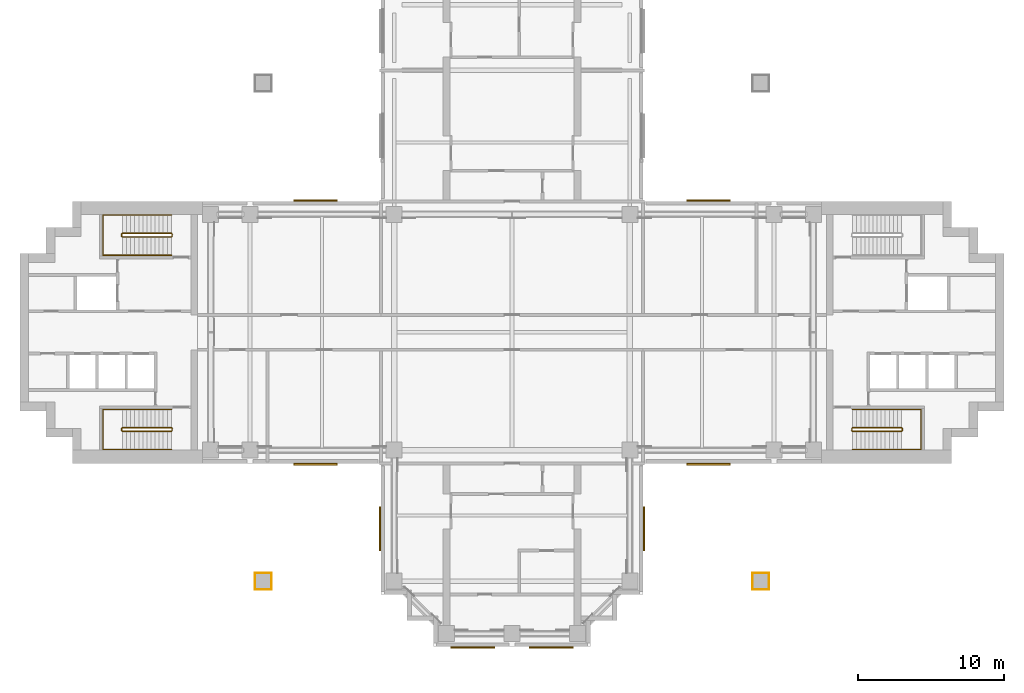
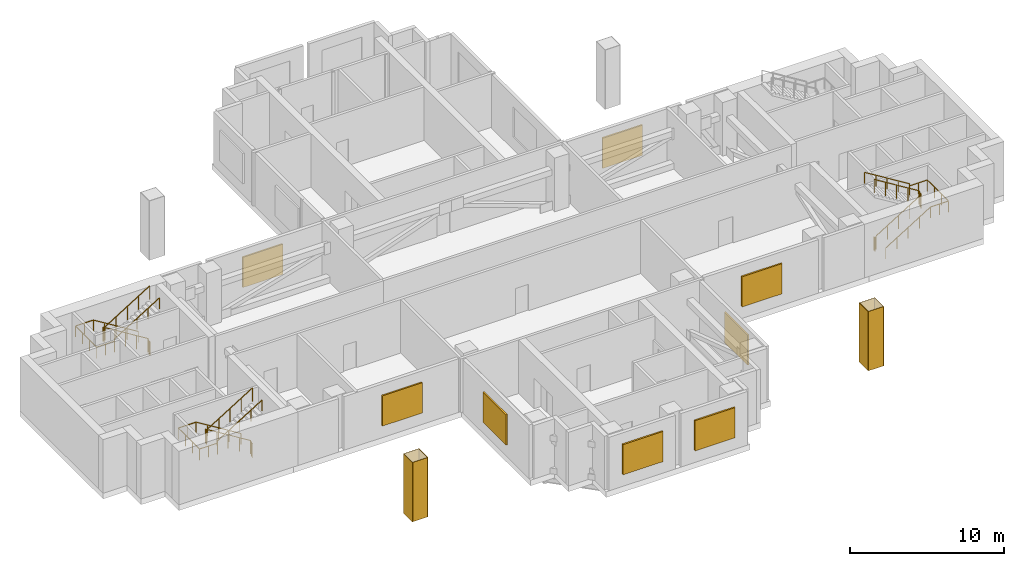
# One storey, part 10 of 11: 8 coverings, 8 shading devices, 6 railings.
"""IFC4 building model written with IfcOpenShell, lengths in metres."""

from ifc_helpers import new_model, si_unit, direction, frame, origin, origin_2d, place, context, subcontext, project, spatial, rectangle, extrude, material, layer, layer_set, type_object, element, save


model = new_model("IFC4")

# Units and contexts
model_context = context("Model", 3, precision=1e-05, world=origin(), true_north=direction((0.0, 1.0)))
body_context = subcontext(model_context, "Body", "Model", "MODEL_VIEW")
ifc_project = project(units=[si_unit("LENGTHUNIT", "METRE"), si_unit("AREAUNIT", "SQUARE_METRE"), si_unit("VOLUMEUNIT", "CUBIC_METRE"), si_unit("PLANEANGLEUNIT", "RADIAN"), si_unit("MASSUNIT", "GRAM", prefix="KILO")], contexts=[model_context])

# Site, building, storey
site_placement = place(None, origin())
site = spatial("IfcSite", under=ifc_project, at=site_placement, CompositionType="ELEMENT")
building_placement = place(site_placement, origin())
building = spatial("IfcBuilding", under=site, at=building_placement, Name="Perihelion Cross Residences", CompositionType="ELEMENT")
storey_placement = place(building_placement, frame((0.0, 0.0, 162.10009765625)))
storey = spatial("IfcBuildingStorey", under=building, at=storey_placement, Name="L39", CompositionType="ELEMENT", Elevation=162.10009765625)

# Coverings
ifc_material_1 = material(Name="Bronze anodised aluminium", Category="aluminium")
ifc_layer_1 = layer(ifc_material_1, 0.0400390625)
ifc_layer_set_1 = layer_set([ifc_layer_1], Name="Bronze column casing 40")
covering_type = type_object("IfcCoveringType", Name="Bronze column casing 40", PredefinedType="CLADDING", material=ifc_layer_set_1)
covering_1_placement = place(storey_placement, frame((-17.669921875, -17.10009765625, -0.4501953125), z_axis=(0.0, 0.0, 1.0), x_axis=(1.0, 0.0, 0.0)))
element("IfcCovering", 1, at=covering_1_placement, inside=storey, type_object=covering_type, Name="Cladding CC1 L39 casing east-west no. 1", PredefinedType="CLADDING", context=body_context, shape_type="SweptSolid", body=[
    extrude(rectangle(XDim=0.0400390625, YDim=1.179931640625, at=origin_2d()), origin(), (0.0, 0.0, 1.0), 4.699951171875),
])
covering_2_placement = place(storey_placement, frame((-17.10009765625, -17.669921875, -0.4501953125), z_axis=(0.0, 0.0, 1.0), x_axis=(1.0, 0.0, 0.0)))
element("IfcCovering", 2, at=covering_2_placement, inside=storey, type_object=covering_type, Name="Cladding CC1 L39 casing north-south no. 1", PredefinedType="CLADDING", context=body_context, shape_type="SweptSolid", body=[
    extrude(rectangle(XDim=1.10009765625, YDim=0.0400390625, at=origin_2d()), origin(), (0.0, 0.0, 1.0), 4.699951171875),
])
covering_3_placement = place(storey_placement, frame((-16.530029296875, -17.10009765625, -0.4501953125), z_axis=(0.0, 0.0, 1.0), x_axis=(1.0, 0.0, 0.0)))
element("IfcCovering", 3, at=covering_3_placement, inside=storey, type_object=covering_type, Name="Cladding CC1 L39 casing inner east-west no. 1", PredefinedType="CLADDING", context=body_context, shape_type="SweptSolid", body=[
    extrude(rectangle(XDim=0.0400390625, YDim=1.179931640625, at=origin_2d()), origin(), (0.0, 0.0, 1.0), 4.699951171875),
])
covering_4_placement = place(storey_placement, frame((-17.10009765625, -16.530029296875, -0.4501953125), z_axis=(0.0, 0.0, 1.0), x_axis=(1.0, 0.0, 0.0)))
element("IfcCovering", 4, at=covering_4_placement, inside=storey, type_object=covering_type, Name="Cladding CC1 L39 casing inner north-south no. 1", PredefinedType="CLADDING", context=body_context, shape_type="SweptSolid", body=[
    extrude(rectangle(XDim=1.10009765625, YDim=0.0400390625, at=origin_2d()), origin(), (0.0, 0.0, 1.0), 4.699951171875),
])
covering_5_placement = place(storey_placement, frame((17.669921875, -17.10009765625, -0.4501953125), z_axis=(0.0, 0.0, 1.0), x_axis=(1.0, 0.0, 0.0)))
element("IfcCovering", 5, at=covering_5_placement, inside=storey, type_object=covering_type, Name="Cladding CC1 L39 casing east-west no. 3", PredefinedType="CLADDING", context=body_context, shape_type="SweptSolid", body=[
    extrude(rectangle(XDim=0.0400390625, YDim=1.179931640625, at=origin_2d()), origin(), (0.0, 0.0, 1.0), 4.699951171875),
])
covering_6_placement = place(storey_placement, frame((17.10009765625, -17.669921875, -0.4501953125), z_axis=(0.0, 0.0, 1.0), x_axis=(1.0, 0.0, 0.0)))
element("IfcCovering", 6, at=covering_6_placement, inside=storey, type_object=covering_type, Name="Cladding CC1 L39 casing north-south no. 3", PredefinedType="CLADDING", context=body_context, shape_type="SweptSolid", body=[
    extrude(rectangle(XDim=1.10009765625, YDim=0.0400390625, at=origin_2d()), origin(), (0.0, 0.0, 1.0), 4.699951171875),
])
covering_7_placement = place(storey_placement, frame((16.530029296875, -17.10009765625, -0.4501953125), z_axis=(0.0, 0.0, 1.0), x_axis=(1.0, 0.0, 0.0)))
element("IfcCovering", 7, at=covering_7_placement, inside=storey, type_object=covering_type, Name="Cladding CC1 L39 casing inner east-west no. 3", PredefinedType="CLADDING", context=body_context, shape_type="SweptSolid", body=[
    extrude(rectangle(XDim=0.0400390625, YDim=1.179931640625, at=origin_2d()), origin(), (0.0, 0.0, 1.0), 4.699951171875),
])
covering_8_placement = place(storey_placement, frame((17.10009765625, -16.530029296875, -0.4501953125), z_axis=(0.0, 0.0, 1.0), x_axis=(1.0, 0.0, 0.0)))
element("IfcCovering", 8, at=covering_8_placement, inside=storey, type_object=covering_type, Name="Cladding CC1 L39 casing inner north-south no. 3", PredefinedType="CLADDING", context=body_context, shape_type="SweptSolid", body=[
    extrude(rectangle(XDim=1.10009765625, YDim=0.0400390625, at=origin_2d()), origin(), (0.0, 0.0, 1.0), 4.699951171875),
])

# Shading devices
ifc_material_2 = material(Name="Bronze anodised aluminium", Category="aluminium")
ifc_layer_2 = layer(ifc_material_2, 0.1201171875)
ifc_layer_set_2 = layer_set([ifc_layer_2], Name="Louvre panel")
shading_device_type = type_object("IfcShadingDeviceType", Name="Louvre panel", PredefinedType="USERDEFINED", material=ifc_layer_set_2)
for number, where, z_axis, x_axis, name in (
    (9, (13.5, 9.06005859375, 1.0), (0.0, 0.0, 1.0), (-1.0, 0.0, 0.0), "Louvre LV1 L39 east side north bay 2"),
    (10, (-13.5, 9.06005859375, 1.0), (0.0, 0.0, 1.0), (-1.0, 0.0, 0.0), "Louvre LV1 L39 west side north bay 1"),
    (11, (-13.5, -9.06005859375, 1.0), (0.0, 0.0, 1.0), (1.0, 0.0, 0.0), "Louvre LV1 L39 west side south bay 2"),
    (12, (-9.06005859375, -13.5, 1.0), (0.0, 0.0, 1.0), (0.0, -1.0, 0.0), "Louvre LV1 L39 south side west bay 1"),
    (13, (-2.699951171875, -21.659912109375, 1.0), (0.0, 0.0, 1.0), (1.0, 0.0, 0.0), "Louvre LV1 L39 south tip south bay 1"),
    (14, (2.699951171875, -21.659912109375, 1.0), (0.0, 0.0, 1.0), (1.0, 0.0, 0.0), "Louvre LV1 L39 south tip south bay 2"),
    (15, (9.06005859375, -13.5, 1.0), (0.0, 0.0, 1.0), (0.0, 1.0, 0.0), "Louvre LV1 L39 south side east bay 1"),
    (16, (13.5, -9.06005859375, 1.0), (0.0, 0.0, 1.0), (1.0, 0.0, 0.0), "Louvre LV1 L39 east side south bay 1"),
):
    element("IfcShadingDevice", number, at=place(storey_placement, frame(where, z_axis=z_axis, x_axis=x_axis)), inside=storey, type_object=shading_device_type, Name=name, ObjectType="LOUVRE", PredefinedType="USERDEFINED", context=body_context, shape_type="SweptSolid", body=[
        extrude(rectangle(XDim=3.0, YDim=0.1201171875, at=origin_2d()), origin(), (0.0, 0.0, 1.0), 2.39990234375),
    ])

# Railings
ifc_material_3 = material(Name="Stainless steel", Category="steel")
railing_type_1 = type_object("IfcRailingType", Name="Stair guard 1100", PredefinedType="GUARDRAIL", material=ifc_material_3)
railing_1_placement = place(storey_placement, frame((23.35009765625, -6.60009765625, 0.0)))
element("IfcRailing", 17, at=railing_1_placement, inside=storey, type_object=railing_type_1, Name="L39 ST-E2 stair guard 1", PredefinedType="GUARDRAIL", context=body_context, shape_type="SweptSolid", body=[
    extrude(rectangle(XDim=0.048095703125, YDim=0.048095703125, at=origin_2d()), frame((0.0, 0.0, 1.076171875), z_axis=(0.0, -1.0, 0.0), x_axis=(1.0, 0.0, 0.0)), (0.0, 0.0, 1.0), 0.14990234375),
    extrude(rectangle(XDim=0.048095703125, YDim=0.048095703125, at=origin_2d()), frame((0.0, -0.14990234375, 1.076171875), z_axis=(0.266417085129, -0.267723051232, 0.925929967433), x_axis=(0.708833529934, 0.705375805398, 0.0)), (0.0, 0.0, 1.0), 0.18701171875),
    extrude(rectangle(XDim=0.048095703125, YDim=0.048095703125, at=origin_2d()), frame((0.0498046875, -0.199951171875, 1.2490234375), z_axis=(0.850623216509, 0.0, 0.525775754039), x_axis=(0.0, 1.0, 0.0)), (0.0, 0.0, 1.0), 3.9501953125),
    extrude(rectangle(XDim=0.048095703125, YDim=0.048095703125, at=origin_2d()), frame((3.409912109375, -0.199951171875, 3.326171875), z_axis=(0.707106781187, 0.707106781187, 0.0), x_axis=(-0.707106781187, 0.707106781187, 0.0)), (0.0, 0.0, 1.0), 0.07080078125),
    extrude(rectangle(XDim=0.048095703125, YDim=0.048095703125, at=origin_2d()), frame((3.4599609375, -0.14990234375, 3.326171875), z_axis=(0.0, 1.0, 0.0), x_axis=(-1.0, 0.0, 0.0)), (0.0, 0.0, 1.0), 0.14990234375),
    extrude(rectangle(XDim=0.048095703125, YDim=0.048095703125, at=origin_2d()), frame((3.4599609375, 0.0, 3.326171875), z_axis=(-0.267629722418, 0.267629722418, 0.925607186314), x_axis=(-0.707106781187, -0.707106781187, 0.0)), (0.0, 0.0, 1.0), 0.18701171875),
    extrude(rectangle(XDim=0.048095703125, YDim=0.048095703125, at=origin_2d()), frame((3.409912109375, 0.050048828125, 3.4990234375), z_axis=(-0.850623216509, 0.0, 0.525775754039), x_axis=(0.0, -1.0, 0.0)), (0.0, 0.0, 1.0), 3.9501953125),
    extrude(rectangle(XDim=0.0419921875, YDim=0.0419921875, at=origin_2d()), origin(), (0.0, 0.0, 1.0), 1.052001953125),
    extrude(rectangle(XDim=0.0419921875, YDim=0.0419921875, at=origin_2d()), frame((0.0, -0.14990234375, 0.0)), (0.0, 0.0, 1.0), 1.052001953125),
    extrude(rectangle(XDim=0.0419921875, YDim=0.0419921875, at=origin_2d()), frame((0.0498046875, -0.199951171875, 0.173095703125)), (0.0, 0.0, 1.0), 1.052001953125),
    extrude(rectangle(XDim=0.0419921875, YDim=0.0419921875, at=origin_2d()), frame((0.889892578125, -0.199951171875, 0.6923828125)), (0.0, 0.0, 1.0), 1.052001953125),
    extrude(rectangle(XDim=0.0419921875, YDim=0.0419921875, at=origin_2d()), frame((1.72998046875, -0.199951171875, 1.21142578125)), (0.0, 0.0, 1.0), 1.052001953125),
    extrude(rectangle(XDim=0.0419921875, YDim=0.0419921875, at=origin_2d()), frame((2.56982421875, -0.199951171875, 1.730712890625)), (0.0, 0.0, 1.0), 1.052001953125),
    extrude(rectangle(XDim=0.0419921875, YDim=0.0419921875, at=origin_2d()), frame((3.409912109375, -0.199951171875, 2.25)), (0.0, 0.0, 1.0), 1.052001953125),
    extrude(rectangle(XDim=0.0419921875, YDim=0.0419921875, at=origin_2d()), frame((3.4599609375, -0.14990234375, 2.25)), (0.0, 0.0, 1.0), 1.052001953125),
    extrude(rectangle(XDim=0.0419921875, YDim=0.0419921875, at=origin_2d()), frame((3.4599609375, 0.0, 2.25)), (0.0, 0.0, 1.0), 1.052001953125),
    extrude(rectangle(XDim=0.0419921875, YDim=0.0419921875, at=origin_2d()), frame((3.409912109375, 0.050048828125, 2.423095703125)), (0.0, 0.0, 1.0), 1.052001953125),
    extrude(rectangle(XDim=0.0419921875, YDim=0.0419921875, at=origin_2d()), frame((2.56982421875, 0.050048828125, 2.9423828125)), (0.0, 0.0, 1.0), 1.052001953125),
    extrude(rectangle(XDim=0.0419921875, YDim=0.0419921875, at=origin_2d()), frame((1.72998046875, 0.050048828125, 3.46142578125)), (0.0, 0.0, 1.0), 1.052001953125),
    extrude(rectangle(XDim=0.0419921875, YDim=0.0419921875, at=origin_2d()), frame((0.889892578125, 0.050048828125, 3.980712890625)), (0.0, 0.0, 1.0), 1.052001953125),
    extrude(rectangle(XDim=0.0419921875, YDim=0.0419921875, at=origin_2d()), frame((0.0498046875, 0.050048828125, 4.5)), (0.0, 0.0, 1.0), 1.052001953125),
])
railing_2_placement = place(storey_placement, frame((-23.35009765625, 6.60009765625, 0.0)))
element("IfcRailing", 18, at=railing_2_placement, inside=storey, type_object=railing_type_1, Name="L39 ST-W1 stair guard 1", PredefinedType="GUARDRAIL", context=body_context, shape_type="SweptSolid", body=[
    extrude(rectangle(XDim=0.048095703125, YDim=0.048095703125, at=origin_2d()), frame((0.0, 0.0, 1.076171875), z_axis=(0.0, 1.0, 0.0), x_axis=(-1.0, 0.0, 0.0)), (0.0, 0.0, 1.0), 0.14990234375),
    extrude(rectangle(XDim=0.048095703125, YDim=0.048095703125, at=origin_2d()), frame((0.0, 0.14990234375, 1.076171875), z_axis=(-0.266417085129, 0.267723051232, 0.925929967433), x_axis=(-0.708833529934, -0.705375805398, 0.0)), (0.0, 0.0, 1.0), 0.18701171875),
    extrude(rectangle(XDim=0.048095703125, YDim=0.048095703125, at=origin_2d()), frame((-0.0498046875, 0.199951171875, 1.2490234375), z_axis=(-0.850623216509, 0.0, 0.525775754039), x_axis=(0.0, -1.0, 0.0)), (0.0, 0.0, 1.0), 3.9501953125),
    extrude(rectangle(XDim=0.048095703125, YDim=0.048095703125, at=origin_2d()), frame((-3.409912109375, 0.199951171875, 3.326171875), z_axis=(-0.707106781187, -0.707106781187, 0.0), x_axis=(0.707106781187, -0.707106781187, 0.0)), (0.0, 0.0, 1.0), 0.07080078125),
    extrude(rectangle(XDim=0.048095703125, YDim=0.048095703125, at=origin_2d()), frame((-3.4599609375, 0.14990234375, 3.326171875), z_axis=(0.0, -1.0, 0.0), x_axis=(1.0, 0.0, 0.0)), (0.0, 0.0, 1.0), 0.14990234375),
    extrude(rectangle(XDim=0.048095703125, YDim=0.048095703125, at=origin_2d()), frame((-3.4599609375, 0.0, 3.326171875), z_axis=(0.267629722418, -0.267629722418, 0.925607186314), x_axis=(0.707106781187, 0.707106781187, 0.0)), (0.0, 0.0, 1.0), 0.18701171875),
    extrude(rectangle(XDim=0.048095703125, YDim=0.048095703125, at=origin_2d()), frame((-3.409912109375, -0.050048828125, 3.4990234375), z_axis=(0.850623216509, 0.0, 0.525775754039), x_axis=(0.0, 1.0, 0.0)), (0.0, 0.0, 1.0), 3.9501953125),
    extrude(rectangle(XDim=0.0419921875, YDim=0.0419921875, at=origin_2d()), origin(), (0.0, 0.0, 1.0), 1.052001953125),
    extrude(rectangle(XDim=0.0419921875, YDim=0.0419921875, at=origin_2d()), frame((0.0, 0.14990234375, 0.0)), (0.0, 0.0, 1.0), 1.052001953125),
    extrude(rectangle(XDim=0.0419921875, YDim=0.0419921875, at=origin_2d()), frame((-0.0498046875, 0.199951171875, 0.173095703125)), (0.0, 0.0, 1.0), 1.052001953125),
    extrude(rectangle(XDim=0.0419921875, YDim=0.0419921875, at=origin_2d()), frame((-0.889892578125, 0.199951171875, 0.6923828125)), (0.0, 0.0, 1.0), 1.052001953125),
    extrude(rectangle(XDim=0.0419921875, YDim=0.0419921875, at=origin_2d()), frame((-1.72998046875, 0.199951171875, 1.21142578125)), (0.0, 0.0, 1.0), 1.052001953125),
    extrude(rectangle(XDim=0.0419921875, YDim=0.0419921875, at=origin_2d()), frame((-2.56982421875, 0.199951171875, 1.730712890625)), (0.0, 0.0, 1.0), 1.052001953125),
    extrude(rectangle(XDim=0.0419921875, YDim=0.0419921875, at=origin_2d()), frame((-3.409912109375, 0.199951171875, 2.25)), (0.0, 0.0, 1.0), 1.052001953125),
    extrude(rectangle(XDim=0.0419921875, YDim=0.0419921875, at=origin_2d()), frame((-3.4599609375, 0.14990234375, 2.25)), (0.0, 0.0, 1.0), 1.052001953125),
    extrude(rectangle(XDim=0.0419921875, YDim=0.0419921875, at=origin_2d()), frame((-3.4599609375, 0.0, 2.25)), (0.0, 0.0, 1.0), 1.052001953125),
    extrude(rectangle(XDim=0.0419921875, YDim=0.0419921875, at=origin_2d()), frame((-3.409912109375, -0.050048828125, 2.423095703125)), (0.0, 0.0, 1.0), 1.052001953125),
    extrude(rectangle(XDim=0.0419921875, YDim=0.0419921875, at=origin_2d()), frame((-2.56982421875, -0.050048828125, 2.9423828125)), (0.0, 0.0, 1.0), 1.052001953125),
    extrude(rectangle(XDim=0.0419921875, YDim=0.0419921875, at=origin_2d()), frame((-1.72998046875, -0.050048828125, 3.46142578125)), (0.0, 0.0, 1.0), 1.052001953125),
    extrude(rectangle(XDim=0.0419921875, YDim=0.0419921875, at=origin_2d()), frame((-0.889892578125, -0.050048828125, 3.980712890625)), (0.0, 0.0, 1.0), 1.052001953125),
    extrude(rectangle(XDim=0.0419921875, YDim=0.0419921875, at=origin_2d()), frame((-0.0498046875, -0.050048828125, 4.5)), (0.0, 0.0, 1.0), 1.052001953125),
])
railing_3_placement = place(storey_placement, frame((-23.35009765625, -6.75, 0.0)))
element("IfcRailing", 19, at=railing_3_placement, inside=storey, type_object=railing_type_1, Name="L39 ST-W2 stair guard 1", PredefinedType="GUARDRAIL", context=body_context, shape_type="SweptSolid", body=[
    extrude(rectangle(XDim=0.048095703125, YDim=0.048095703125, at=origin_2d()), frame((0.0, 0.0, 1.076171875), z_axis=(0.0, 1.0, 0.0), x_axis=(-1.0, 0.0, 0.0)), (0.0, 0.0, 1.0), 0.14990234375),
    extrude(rectangle(XDim=0.048095703125, YDim=0.048095703125, at=origin_2d()), frame((0.0, 0.14990234375, 1.076171875), z_axis=(-0.266417085129, 0.267723051232, 0.925929967433), x_axis=(-0.708833529934, -0.705375805398, 0.0)), (0.0, 0.0, 1.0), 0.18701171875),
    extrude(rectangle(XDim=0.048095703125, YDim=0.048095703125, at=origin_2d()), frame((-0.0498046875, 0.199951171875, 1.2490234375), z_axis=(-0.850623216509, 0.0, 0.525775754039), x_axis=(0.0, -1.0, 0.0)), (0.0, 0.0, 1.0), 3.9501953125),
    extrude(rectangle(XDim=0.048095703125, YDim=0.048095703125, at=origin_2d()), frame((-3.409912109375, 0.199951171875, 3.326171875), z_axis=(-0.707106781187, -0.707106781187, 0.0), x_axis=(0.707106781187, -0.707106781187, 0.0)), (0.0, 0.0, 1.0), 0.07080078125),
    extrude(rectangle(XDim=0.048095703125, YDim=0.048095703125, at=origin_2d()), frame((-3.4599609375, 0.14990234375, 3.326171875), z_axis=(0.0, -1.0, 0.0), x_axis=(1.0, 0.0, 0.0)), (0.0, 0.0, 1.0), 0.14990234375),
    extrude(rectangle(XDim=0.048095703125, YDim=0.048095703125, at=origin_2d()), frame((-3.4599609375, 0.0, 3.326171875), z_axis=(0.267629722418, -0.267629722418, 0.925607186314), x_axis=(0.707106781187, 0.707106781187, 0.0)), (0.0, 0.0, 1.0), 0.18701171875),
    extrude(rectangle(XDim=0.048095703125, YDim=0.048095703125, at=origin_2d()), frame((-3.409912109375, -0.050048828125, 3.4990234375), z_axis=(0.850623216509, 0.0, 0.525775754039), x_axis=(0.0, 1.0, 0.0)), (0.0, 0.0, 1.0), 3.9501953125),
    extrude(rectangle(XDim=0.0419921875, YDim=0.0419921875, at=origin_2d()), origin(), (0.0, 0.0, 1.0), 1.052001953125),
    extrude(rectangle(XDim=0.0419921875, YDim=0.0419921875, at=origin_2d()), frame((0.0, 0.14990234375, 0.0)), (0.0, 0.0, 1.0), 1.052001953125),
    extrude(rectangle(XDim=0.0419921875, YDim=0.0419921875, at=origin_2d()), frame((-0.0498046875, 0.199951171875, 0.173095703125)), (0.0, 0.0, 1.0), 1.052001953125),
    extrude(rectangle(XDim=0.0419921875, YDim=0.0419921875, at=origin_2d()), frame((-0.889892578125, 0.199951171875, 0.6923828125)), (0.0, 0.0, 1.0), 1.052001953125),
    extrude(rectangle(XDim=0.0419921875, YDim=0.0419921875, at=origin_2d()), frame((-1.72998046875, 0.199951171875, 1.21142578125)), (0.0, 0.0, 1.0), 1.052001953125),
    extrude(rectangle(XDim=0.0419921875, YDim=0.0419921875, at=origin_2d()), frame((-2.56982421875, 0.199951171875, 1.730712890625)), (0.0, 0.0, 1.0), 1.052001953125),
    extrude(rectangle(XDim=0.0419921875, YDim=0.0419921875, at=origin_2d()), frame((-3.409912109375, 0.199951171875, 2.25)), (0.0, 0.0, 1.0), 1.052001953125),
    extrude(rectangle(XDim=0.0419921875, YDim=0.0419921875, at=origin_2d()), frame((-3.4599609375, 0.14990234375, 2.25)), (0.0, 0.0, 1.0), 1.052001953125),
    extrude(rectangle(XDim=0.0419921875, YDim=0.0419921875, at=origin_2d()), frame((-3.4599609375, 0.0, 2.25)), (0.0, 0.0, 1.0), 1.052001953125),
    extrude(rectangle(XDim=0.0419921875, YDim=0.0419921875, at=origin_2d()), frame((-3.409912109375, -0.050048828125, 2.423095703125)), (0.0, 0.0, 1.0), 1.052001953125),
    extrude(rectangle(XDim=0.0419921875, YDim=0.0419921875, at=origin_2d()), frame((-2.56982421875, -0.050048828125, 2.9423828125)), (0.0, 0.0, 1.0), 1.052001953125),
    extrude(rectangle(XDim=0.0419921875, YDim=0.0419921875, at=origin_2d()), frame((-1.72998046875, -0.050048828125, 3.46142578125)), (0.0, 0.0, 1.0), 1.052001953125),
    extrude(rectangle(XDim=0.0419921875, YDim=0.0419921875, at=origin_2d()), frame((-0.889892578125, -0.050048828125, 3.980712890625)), (0.0, 0.0, 1.0), 1.052001953125),
    extrude(rectangle(XDim=0.0419921875, YDim=0.0419921875, at=origin_2d()), frame((-0.0498046875, -0.050048828125, 4.5)), (0.0, 0.0, 1.0), 1.052001953125),
])
ifc_material_4 = material(Name="Stainless steel", Category="steel")
railing_type_2 = type_object("IfcRailingType", Name="Stair handrail 900", PredefinedType="HANDRAIL", material=ifc_material_4)
railing_4_placement = place(storey_placement, frame((23.39990234375, -8.050048828125, 0.173095703125)))
element("IfcRailing", 20, at=railing_4_placement, inside=storey, type_object=railing_type_2, Name="L39 ST-E2 stair handrail 1", PredefinedType="HANDRAIL", context=body_context, shape_type="SweptSolid", body=[
    extrude(rectangle(XDim=0.048095703125, YDim=0.048095703125, at=origin_2d()), frame((0.0, 0.0, 0.8759765625), z_axis=(0.850623216509, 0.0, 0.525775754039), x_axis=(0.0, 1.0, 0.0)), (0.0, 0.0, 1.0), 3.9501953125),
    extrude(rectangle(XDim=0.048095703125, YDim=0.048095703125, at=origin_2d()), frame((3.360107421875, 0.0, 2.95263671875), z_axis=(1.0, 0.0, 0.0), x_axis=(0.0, 1.0, 0.0)), (0.0, 0.0, 1.0), 1.340087890625),
    extrude(rectangle(XDim=0.048095703125, YDim=0.048095703125, at=origin_2d()), frame((4.7001953125, 0.0, 2.95263671875), z_axis=(0.0, 1.0, 0.0), x_axis=(-1.0, 0.0, 0.0)), (0.0, 0.0, 1.0), 2.75),
    extrude(rectangle(XDim=0.048095703125, YDim=0.048095703125, at=origin_2d()), frame((4.7001953125, 2.75, 2.95263671875), z_axis=(-1.0, 0.0, 0.0), x_axis=(0.0, -1.0, 0.0)), (0.0, 0.0, 1.0), 1.340087890625),
    extrude(rectangle(XDim=0.048095703125, YDim=0.048095703125, at=origin_2d()), frame((3.360107421875, 2.75, 2.95263671875), z_axis=(0.0, 0.0, 1.0), x_axis=(1.0, 0.0, 0.0)), (0.0, 0.0, 1.0), 0.173095703125),
    extrude(rectangle(XDim=0.048095703125, YDim=0.048095703125, at=origin_2d()), frame((3.360107421875, 2.75, 3.1259765625), z_axis=(-0.850623216509, 0.0, 0.525775754039), x_axis=(0.0, -1.0, 0.0)), (0.0, 0.0, 1.0), 3.9501953125),
    extrude(rectangle(XDim=0.0419921875, YDim=0.0419921875, at=origin_2d()), origin(), (0.0, 0.0, 1.0), 0.851806640625),
    extrude(rectangle(XDim=0.0419921875, YDim=0.0419921875, at=origin_2d()), frame((0.840087890625, 0.0, 0.519287109375)), (0.0, 0.0, 1.0), 0.851806640625),
    extrude(rectangle(XDim=0.0419921875, YDim=0.0419921875, at=origin_2d()), frame((1.68017578125, 0.0, 1.03857421875)), (0.0, 0.0, 1.0), 0.851806640625),
    extrude(rectangle(XDim=0.0419921875, YDim=0.0419921875, at=origin_2d()), frame((2.52001953125, 0.0, 1.5576171875)), (0.0, 0.0, 1.0), 0.851806640625),
    extrude(rectangle(XDim=0.0419921875, YDim=0.0419921875, at=origin_2d()), frame((3.360107421875, 0.0, 2.076904296875)), (0.0, 0.0, 1.0), 0.851806640625),
    extrude(rectangle(XDim=0.0419921875, YDim=0.0419921875, at=origin_2d()), frame((4.0302734375, 0.0, 2.076904296875)), (0.0, 0.0, 1.0), 0.851806640625),
    extrude(rectangle(XDim=0.0419921875, YDim=0.0419921875, at=origin_2d()), frame((4.7001953125, 0.0, 2.076904296875)), (0.0, 0.0, 1.0), 0.851806640625),
    extrude(rectangle(XDim=0.0419921875, YDim=0.0419921875, at=origin_2d()), frame((4.7001953125, 0.916748046875, 2.076904296875)), (0.0, 0.0, 1.0), 0.851806640625),
    extrude(rectangle(XDim=0.0419921875, YDim=0.0419921875, at=origin_2d()), frame((4.7001953125, 1.833251953125, 2.076904296875)), (0.0, 0.0, 1.0), 0.851806640625),
    extrude(rectangle(XDim=0.0419921875, YDim=0.0419921875, at=origin_2d()), frame((4.7001953125, 2.75, 2.076904296875)), (0.0, 0.0, 1.0), 0.851806640625),
    extrude(rectangle(XDim=0.0419921875, YDim=0.0419921875, at=origin_2d()), frame((4.0302734375, 2.75, 2.076904296875)), (0.0, 0.0, 1.0), 0.851806640625),
    extrude(rectangle(XDim=0.0419921875, YDim=0.0419921875, at=origin_2d()), frame((3.360107421875, 2.75, 2.076904296875)), (0.0, 0.0, 1.0), 0.851806640625),
    extrude(rectangle(XDim=0.0419921875, YDim=0.0419921875, at=origin_2d()), frame((3.360107421875, 2.75, 2.25)), (0.0, 0.0, 1.0), 0.851806640625),
    extrude(rectangle(XDim=0.0419921875, YDim=0.0419921875, at=origin_2d()), frame((2.52001953125, 2.75, 2.769287109375)), (0.0, 0.0, 1.0), 0.851806640625),
    extrude(rectangle(XDim=0.0419921875, YDim=0.0419921875, at=origin_2d()), frame((1.68017578125, 2.75, 3.28857421875)), (0.0, 0.0, 1.0), 0.851806640625),
    extrude(rectangle(XDim=0.0419921875, YDim=0.0419921875, at=origin_2d()), frame((0.840087890625, 2.75, 3.8076171875)), (0.0, 0.0, 1.0), 0.851806640625),
    extrude(rectangle(XDim=0.0419921875, YDim=0.0419921875, at=origin_2d()), frame((0.0, 2.75, 4.326904296875)), (0.0, 0.0, 1.0), 0.851806640625),
])
railing_5_placement = place(storey_placement, frame((-23.39990234375, 8.050048828125, 0.173095703125)))
element("IfcRailing", 21, at=railing_5_placement, inside=storey, type_object=railing_type_2, Name="L39 ST-W1 stair handrail 1", PredefinedType="HANDRAIL", context=body_context, shape_type="SweptSolid", body=[
    extrude(rectangle(XDim=0.048095703125, YDim=0.048095703125, at=origin_2d()), frame((0.0, 0.0, 0.8759765625), z_axis=(-0.850623216509, 0.0, 0.525775754039), x_axis=(0.0, -1.0, 0.0)), (0.0, 0.0, 1.0), 3.9501953125),
    extrude(rectangle(XDim=0.048095703125, YDim=0.048095703125, at=origin_2d()), frame((-3.360107421875, 0.0, 2.95263671875), z_axis=(-1.0, 0.0, 0.0), x_axis=(0.0, -1.0, 0.0)), (0.0, 0.0, 1.0), 1.340087890625),
    extrude(rectangle(XDim=0.048095703125, YDim=0.048095703125, at=origin_2d()), frame((-4.7001953125, 0.0, 2.95263671875), z_axis=(0.0, -1.0, 0.0), x_axis=(1.0, 0.0, 0.0)), (0.0, 0.0, 1.0), 2.75),
    extrude(rectangle(XDim=0.048095703125, YDim=0.048095703125, at=origin_2d()), frame((-4.7001953125, -2.75, 2.95263671875), z_axis=(1.0, 0.0, 0.0), x_axis=(0.0, 1.0, 0.0)), (0.0, 0.0, 1.0), 1.340087890625),
    extrude(rectangle(XDim=0.048095703125, YDim=0.048095703125, at=origin_2d()), frame((-3.360107421875, -2.75, 2.95263671875), z_axis=(0.0, 0.0, 1.0), x_axis=(1.0, 0.0, 0.0)), (0.0, 0.0, 1.0), 0.173095703125),
    extrude(rectangle(XDim=0.048095703125, YDim=0.048095703125, at=origin_2d()), frame((-3.360107421875, -2.75, 3.1259765625), z_axis=(0.850623216509, 0.0, 0.525775754039), x_axis=(0.0, 1.0, 0.0)), (0.0, 0.0, 1.0), 3.9501953125),
    extrude(rectangle(XDim=0.0419921875, YDim=0.0419921875, at=origin_2d()), origin(), (0.0, 0.0, 1.0), 0.851806640625),
    extrude(rectangle(XDim=0.0419921875, YDim=0.0419921875, at=origin_2d()), frame((-0.840087890625, 0.0, 0.519287109375)), (0.0, 0.0, 1.0), 0.851806640625),
    extrude(rectangle(XDim=0.0419921875, YDim=0.0419921875, at=origin_2d()), frame((-1.68017578125, 0.0, 1.03857421875)), (0.0, 0.0, 1.0), 0.851806640625),
    extrude(rectangle(XDim=0.0419921875, YDim=0.0419921875, at=origin_2d()), frame((-2.52001953125, 0.0, 1.5576171875)), (0.0, 0.0, 1.0), 0.851806640625),
    extrude(rectangle(XDim=0.0419921875, YDim=0.0419921875, at=origin_2d()), frame((-3.360107421875, 0.0, 2.076904296875)), (0.0, 0.0, 1.0), 0.851806640625),
    extrude(rectangle(XDim=0.0419921875, YDim=0.0419921875, at=origin_2d()), frame((-4.0302734375, 0.0, 2.076904296875)), (0.0, 0.0, 1.0), 0.851806640625),
    extrude(rectangle(XDim=0.0419921875, YDim=0.0419921875, at=origin_2d()), frame((-4.7001953125, 0.0, 2.076904296875)), (0.0, 0.0, 1.0), 0.851806640625),
    extrude(rectangle(XDim=0.0419921875, YDim=0.0419921875, at=origin_2d()), frame((-4.7001953125, -0.916748046875, 2.076904296875)), (0.0, 0.0, 1.0), 0.851806640625),
    extrude(rectangle(XDim=0.0419921875, YDim=0.0419921875, at=origin_2d()), frame((-4.7001953125, -1.833251953125, 2.076904296875)), (0.0, 0.0, 1.0), 0.851806640625),
    extrude(rectangle(XDim=0.0419921875, YDim=0.0419921875, at=origin_2d()), frame((-4.7001953125, -2.75, 2.076904296875)), (0.0, 0.0, 1.0), 0.851806640625),
    extrude(rectangle(XDim=0.0419921875, YDim=0.0419921875, at=origin_2d()), frame((-4.0302734375, -2.75, 2.076904296875)), (0.0, 0.0, 1.0), 0.851806640625),
    extrude(rectangle(XDim=0.0419921875, YDim=0.0419921875, at=origin_2d()), frame((-3.360107421875, -2.75, 2.076904296875)), (0.0, 0.0, 1.0), 0.851806640625),
    extrude(rectangle(XDim=0.0419921875, YDim=0.0419921875, at=origin_2d()), frame((-3.360107421875, -2.75, 2.25)), (0.0, 0.0, 1.0), 0.851806640625),
    extrude(rectangle(XDim=0.0419921875, YDim=0.0419921875, at=origin_2d()), frame((-2.52001953125, -2.75, 2.769287109375)), (0.0, 0.0, 1.0), 0.851806640625),
    extrude(rectangle(XDim=0.0419921875, YDim=0.0419921875, at=origin_2d()), frame((-1.68017578125, -2.75, 3.28857421875)), (0.0, 0.0, 1.0), 0.851806640625),
    extrude(rectangle(XDim=0.0419921875, YDim=0.0419921875, at=origin_2d()), frame((-0.840087890625, -2.75, 3.8076171875)), (0.0, 0.0, 1.0), 0.851806640625),
    extrude(rectangle(XDim=0.0419921875, YDim=0.0419921875, at=origin_2d()), frame((0.0, -2.75, 4.326904296875)), (0.0, 0.0, 1.0), 0.851806640625),
])
railing_6_placement = place(storey_placement, frame((-23.39990234375, -5.300048828125, 0.173095703125)))
element("IfcRailing", 22, at=railing_6_placement, inside=storey, type_object=railing_type_2, Name="L39 ST-W2 stair handrail 1", PredefinedType="HANDRAIL", context=body_context, shape_type="SweptSolid", body=[
    extrude(rectangle(XDim=0.048095703125, YDim=0.048095703125, at=origin_2d()), frame((0.0, 0.0, 0.8759765625), z_axis=(-0.850623216509, 0.0, 0.525775754039), x_axis=(0.0, -1.0, 0.0)), (0.0, 0.0, 1.0), 3.9501953125),
    extrude(rectangle(XDim=0.048095703125, YDim=0.048095703125, at=origin_2d()), frame((-3.360107421875, 0.0, 2.95263671875), z_axis=(-1.0, 0.0, 0.0), x_axis=(0.0, -1.0, 0.0)), (0.0, 0.0, 1.0), 1.340087890625),
    extrude(rectangle(XDim=0.048095703125, YDim=0.048095703125, at=origin_2d()), frame((-4.7001953125, 0.0, 2.95263671875), z_axis=(0.0, -1.0, 0.0), x_axis=(1.0, 0.0, 0.0)), (0.0, 0.0, 1.0), 2.75),
    extrude(rectangle(XDim=0.048095703125, YDim=0.048095703125, at=origin_2d()), frame((-4.7001953125, -2.75, 2.95263671875), z_axis=(1.0, 0.0, 0.0), x_axis=(0.0, 1.0, 0.0)), (0.0, 0.0, 1.0), 1.340087890625),
    extrude(rectangle(XDim=0.048095703125, YDim=0.048095703125, at=origin_2d()), frame((-3.360107421875, -2.75, 2.95263671875), z_axis=(0.0, 0.0, 1.0), x_axis=(1.0, 0.0, 0.0)), (0.0, 0.0, 1.0), 0.173095703125),
    extrude(rectangle(XDim=0.048095703125, YDim=0.048095703125, at=origin_2d()), frame((-3.360107421875, -2.75, 3.1259765625), z_axis=(0.850623216509, 0.0, 0.525775754039), x_axis=(0.0, 1.0, 0.0)), (0.0, 0.0, 1.0), 3.9501953125),
    extrude(rectangle(XDim=0.0419921875, YDim=0.0419921875, at=origin_2d()), origin(), (0.0, 0.0, 1.0), 0.851806640625),
    extrude(rectangle(XDim=0.0419921875, YDim=0.0419921875, at=origin_2d()), frame((-0.840087890625, 0.0, 0.519287109375)), (0.0, 0.0, 1.0), 0.851806640625),
    extrude(rectangle(XDim=0.0419921875, YDim=0.0419921875, at=origin_2d()), frame((-1.68017578125, 0.0, 1.03857421875)), (0.0, 0.0, 1.0), 0.851806640625),
    extrude(rectangle(XDim=0.0419921875, YDim=0.0419921875, at=origin_2d()), frame((-2.52001953125, 0.0, 1.5576171875)), (0.0, 0.0, 1.0), 0.851806640625),
    extrude(rectangle(XDim=0.0419921875, YDim=0.0419921875, at=origin_2d()), frame((-3.360107421875, 0.0, 2.076904296875)), (0.0, 0.0, 1.0), 0.851806640625),
    extrude(rectangle(XDim=0.0419921875, YDim=0.0419921875, at=origin_2d()), frame((-4.0302734375, 0.0, 2.076904296875)), (0.0, 0.0, 1.0), 0.851806640625),
    extrude(rectangle(XDim=0.0419921875, YDim=0.0419921875, at=origin_2d()), frame((-4.7001953125, 0.0, 2.076904296875)), (0.0, 0.0, 1.0), 0.851806640625),
    extrude(rectangle(XDim=0.0419921875, YDim=0.0419921875, at=origin_2d()), frame((-4.7001953125, -0.916748046875, 2.076904296875)), (0.0, 0.0, 1.0), 0.851806640625),
    extrude(rectangle(XDim=0.0419921875, YDim=0.0419921875, at=origin_2d()), frame((-4.7001953125, -1.833251953125, 2.076904296875)), (0.0, 0.0, 1.0), 0.851806640625),
    extrude(rectangle(XDim=0.0419921875, YDim=0.0419921875, at=origin_2d()), frame((-4.7001953125, -2.75, 2.076904296875)), (0.0, 0.0, 1.0), 0.851806640625),
    extrude(rectangle(XDim=0.0419921875, YDim=0.0419921875, at=origin_2d()), frame((-4.0302734375, -2.75, 2.076904296875)), (0.0, 0.0, 1.0), 0.851806640625),
    extrude(rectangle(XDim=0.0419921875, YDim=0.0419921875, at=origin_2d()), frame((-3.360107421875, -2.75, 2.076904296875)), (0.0, 0.0, 1.0), 0.851806640625),
    extrude(rectangle(XDim=0.0419921875, YDim=0.0419921875, at=origin_2d()), frame((-3.360107421875, -2.75, 2.25)), (0.0, 0.0, 1.0), 0.851806640625),
    extrude(rectangle(XDim=0.0419921875, YDim=0.0419921875, at=origin_2d()), frame((-2.52001953125, -2.75, 2.769287109375)), (0.0, 0.0, 1.0), 0.851806640625),
    extrude(rectangle(XDim=0.0419921875, YDim=0.0419921875, at=origin_2d()), frame((-1.68017578125, -2.75, 3.28857421875)), (0.0, 0.0, 1.0), 0.851806640625),
    extrude(rectangle(XDim=0.0419921875, YDim=0.0419921875, at=origin_2d()), frame((-0.840087890625, -2.75, 3.8076171875)), (0.0, 0.0, 1.0), 0.851806640625),
    extrude(rectangle(XDim=0.0419921875, YDim=0.0419921875, at=origin_2d()), frame((0.0, -2.75, 4.326904296875)), (0.0, 0.0, 1.0), 0.851806640625),
])

save(model, "model.ifc")
